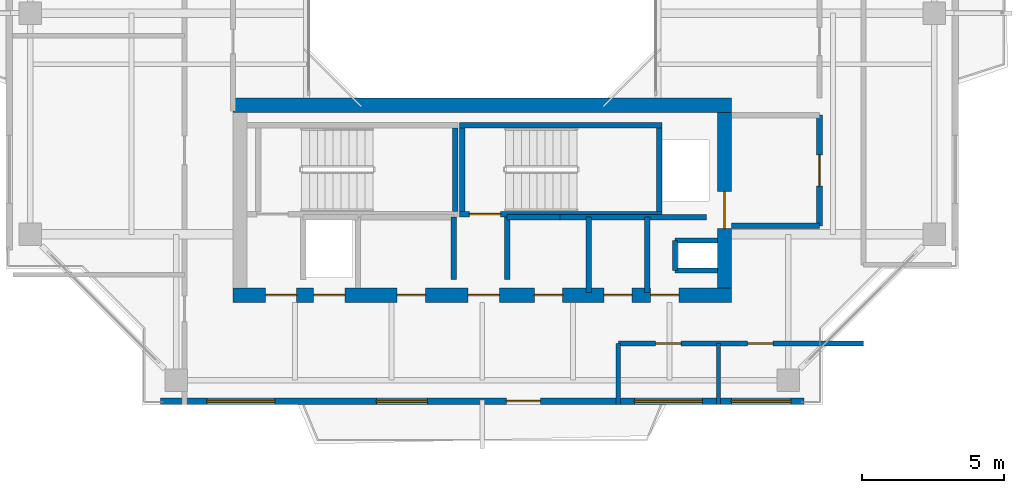
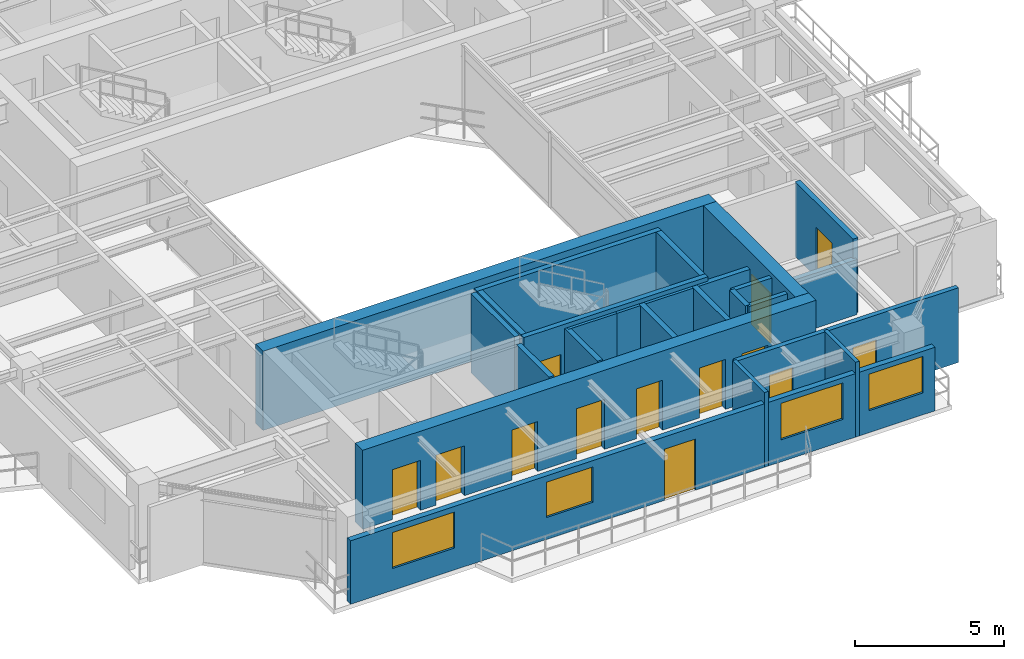
# One storey, part 10 of 15: 23 walls, 13 doors, 4 windows, 17 openings.
"""IFC4 building model written with IfcOpenShell, lengths in metres."""

from ifc_helpers import new_model, si_unit, direction, frame, frame_2d, origin, place, context, subcontext, project, spatial, rectangle, extrude, source, transform, mapped, material, layer, layer_set, type_object, element, fill, save


model = new_model("IFC4")

# Units and contexts
model_context = context("Model", 3, precision=1e-05, world=origin(), true_north=direction((0.0, 1.0)))
body_context = subcontext(model_context, "Body", "Model", "MODEL_VIEW")
ifc_project = project(units=[si_unit("LENGTHUNIT", "METRE"), si_unit("AREAUNIT", "SQUARE_METRE"), si_unit("VOLUMEUNIT", "CUBIC_METRE"), si_unit("PLANEANGLEUNIT", "RADIAN"), si_unit("MASSUNIT", "GRAM", prefix="KILO"), si_unit("THERMODYNAMICTEMPERATUREUNIT", "KELVIN"), si_unit("POWERUNIT", "WATT")], contexts=[model_context])

# Site, building, storey
site_placement = place(None, origin())
site = spatial("IfcSite", under=ifc_project, at=site_placement, CompositionType="ELEMENT")
building_placement = place(site_placement, origin())
building = spatial("IfcBuilding", under=site, at=building_placement, Name="Qiaomeng Ring Towers", CompositionType="ELEMENT")
storey_placement = place(building_placement, frame((0.0, 0.0, 219.75)))
storey = spatial("IfcBuildingStorey", under=building, at=storey_placement, Name="L64", CompositionType="ELEMENT", Elevation=219.75)

# Wall, openings, windows, door
ifc_material_1 = material(Name="Precast concrete C40", Category="concrete")
ifc_layer_1 = layer(ifc_material_1, 0.219970703125, Name="Precast concrete C40")
ifc_layer_set_1 = layer_set([ifc_layer_1], Name="Precast concrete C40")
wall_type_1 = type_object("IfcWallType", Name="ARC-WL-EW2", PredefinedType="STANDARD", material=ifc_layer_set_1)
wall_1_placement = place(storey_placement, frame((7.64990234375, 6.31005859375, 0.0), z_axis=(0.0, 0.0, 1.0), x_axis=(1.0, 0.0, 0.0)))
wall_1 = element("IfcWall", 1, at=wall_1_placement, inside=storey, type_object=wall_type_1, Name="L64 Tower 1 S Exterior Wall", PredefinedType="STANDARD", context=body_context, shape_type="SweptSolid", body=[
    extrude(rectangle(XDim=22.7001953125, YDim=0.219970703125, at=frame_2d((11.35009765625, 0.0))), origin(), (0.0, 0.0, 1.0), 2.610107421875),
])
opening_1_placement = place(wall_1_placement, frame((12.199951171875, 0.0, 0.0)))
opening_1 = element("IfcOpeningElement", 2, at=opening_1_placement, cuts=wall_1, Name="Opening BD1", PredefinedType="OPENING", context=body_context, shape_type="SweptSolid", body=[
    extrude(rectangle(XDim=1.199951171875, YDim=2.10009765625, at=frame_2d((0.60009765625, 1.050048828125))), frame((0.0, 0.119873046875, 0.0), z_axis=(0.0, -1.0, 0.0), x_axis=(1.0, 0.0, 0.0)), (0.0, 0.0, 1.0), 0.239990234375),
])
opening_2_placement = place(wall_1_placement, frame((1.636962890625, 0.0, 0.89990234375)))
opening_2 = element("IfcOpeningElement", 3, at=opening_2_placement, cuts=wall_1, Name="Opening WN6", PredefinedType="OPENING", context=body_context, shape_type="SweptSolid", body=[
    extrude(rectangle(XDim=2.39990234375, YDim=1.47998046875, at=frame_2d((1.199951171875, 0.739990234375))), frame((0.0, 0.119873046875, 0.0), z_axis=(0.0, -1.0, 0.0), x_axis=(1.0, 0.0, 0.0)), (0.0, 0.0, 1.0), 0.239990234375),
])
opening_3_placement = place(wall_1_placement, frame((7.612060546875, 0.0, 0.89990234375)))
opening_3 = element("IfcOpeningElement", 4, at=opening_3_placement, cuts=wall_1, Name="Opening WN1", PredefinedType="OPENING", context=body_context, shape_type="SweptSolid", body=[
    extrude(rectangle(XDim=1.800048828125, YDim=1.449951171875, at=frame_2d((0.89990234375, 0.72509765625))), frame((0.0, 0.119873046875, 0.0), z_axis=(0.0, -1.0, 0.0), x_axis=(1.0, 0.0, 0.0)), (0.0, 0.0, 1.0), 0.239990234375),
])
opening_4_placement = place(wall_1_placement, frame((20.137451171875, 0.0, 0.89990234375)))
opening_4 = element("IfcOpeningElement", 5, at=opening_4_placement, cuts=wall_1, Name="Opening WN4", PredefinedType="OPENING", context=body_context, shape_type="SweptSolid", body=[
    extrude(rectangle(XDim=2.10009765625, YDim=1.5, at=frame_2d((1.050048828125, 0.75))), frame((0.0, 0.119873046875, 0.0), z_axis=(0.0, -1.0, 0.0), x_axis=(1.0, 0.0, 0.0)), (0.0, 0.0, 1.0), 0.239990234375),
])
opening_5_placement = place(wall_1_placement, frame((16.719970703125, 0.0, 0.89990234375)))
opening_5 = element("IfcOpeningElement", 6, at=opening_5_placement, cuts=wall_1, Name="Opening WN6", PredefinedType="OPENING", context=body_context, shape_type="SweptSolid", body=[
    extrude(rectangle(XDim=2.39990234375, YDim=1.5, at=frame_2d((1.199951171875, 0.75))), frame((0.0, 0.119873046875, 0.0), z_axis=(0.0, -1.0, 0.0), x_axis=(1.0, 0.0, 0.0)), (0.0, 0.0, 1.0), 0.239990234375),
])
ifc_material_2 = material(Name="Low-E dark-grey laminated double glazing", Category="glass")
window_type_1 = type_object("IfcWindowType", Name="ARC-WN-4", PartitioningType="TRIPLE_PANEL_VERTICAL", PredefinedType="WINDOW", material=ifc_material_2)
shared_shape_1 = source(origin(), body_context, "Body", "SweptSolid", [
    extrude(rectangle(XDim=2.10009765625, YDim=1.5, at=frame_2d((1.050048828125, 0.75))), frame((0.0, 0.030029296875, 0.0), z_axis=(0.0, -1.0, 0.0), x_axis=(1.0, 0.0, 0.0)), (0.0, 0.0, 1.0), 0.06005859375),
])
window_1_placement = place(opening_4_placement, origin())
window_1 = element("IfcWindow", 7, at=window_1_placement, inside=storey, type_object=window_type_1, Name="L64 Exterior Window WN4", OverallHeight=1.5, OverallWidth=2.10009765625, PartitioningType="TRIPLE_PANEL_VERTICAL", PredefinedType="WINDOW", context=body_context, shape_type="MappedRepresentation", body=[
    mapped(shared_shape_1, transform((0.0, 0.0, 0.0), x_axis=(1.0, 0.0, 0.0), y_axis=(0.0, 1.0, 0.0), z_axis=(0.0, 0.0, 1.0), scale=1.0)),
])
fill(opening_4, window_1)
window_type_2 = type_object("IfcWindowType", Name="ARC-WN-1", PartitioningType="DOUBLE_PANEL_VERTICAL", PredefinedType="WINDOW", material=ifc_material_2)
shared_shape_2 = source(origin(), body_context, "Body", "SweptSolid", [
    extrude(rectangle(XDim=1.800048828125, YDim=1.449951171875, at=frame_2d((0.89990234375, 0.72509765625))), frame((0.0, 0.030029296875, 0.0), z_axis=(0.0, -1.0, 0.0), x_axis=(1.0, 0.0, 0.0)), (0.0, 0.0, 1.0), 0.06005859375),
])
window_2_placement = place(opening_3_placement, origin())
window_2 = element("IfcWindow", 8, at=window_2_placement, inside=storey, type_object=window_type_2, Name="L64 Exterior Window WN1", OverallHeight=1.449951171875, OverallWidth=1.800048828125, PartitioningType="DOUBLE_PANEL_VERTICAL", PredefinedType="WINDOW", context=body_context, shape_type="MappedRepresentation", body=[
    mapped(shared_shape_2, transform((0.0, 0.0, 0.0), x_axis=(1.0, 0.0, 0.0), y_axis=(0.0, 1.0, 0.0), z_axis=(0.0, 0.0, 1.0), scale=1.0)),
])
fill(opening_3, window_2)
window_type_3 = type_object("IfcWindowType", Name="ARC-WN-6", PartitioningType="TRIPLE_PANEL_VERTICAL", PredefinedType="WINDOW", material=ifc_material_2)
shared_shape_3 = source(origin(), body_context, "Body", "SweptSolid", [
    extrude(rectangle(XDim=2.39990234375, YDim=1.47998046875, at=frame_2d((1.199951171875, 0.739990234375))), frame((0.0, 0.030029296875, 0.0), z_axis=(0.0, -1.0, 0.0), x_axis=(1.0, 0.0, 0.0)), (0.0, 0.0, 1.0), 0.06005859375),
])
window_3_placement = place(opening_2_placement, origin())
window_3 = element("IfcWindow", 9, at=window_3_placement, inside=storey, type_object=window_type_3, Name="L64 Exterior Window WN6", OverallHeight=1.47998046875, OverallWidth=2.39990234375, PartitioningType="TRIPLE_PANEL_VERTICAL", PredefinedType="WINDOW", context=body_context, shape_type="MappedRepresentation", body=[
    mapped(shared_shape_3, transform((0.0, 0.0, 0.0), x_axis=(1.0, 0.0, 0.0), y_axis=(0.0, 1.0, 0.0), z_axis=(0.0, 0.0, 1.0), scale=1.0)),
])
fill(opening_2, window_3)
door_type_1 = type_object("IfcDoorType", Name="ARC-DR-BD1", OperationType="NOTDEFINED", PredefinedType="DOOR", material=ifc_material_2)
shared_shape_4 = source(origin(), body_context, "Body", "SweptSolid", [
    extrude(rectangle(XDim=1.199951171875, YDim=2.10009765625, at=frame_2d((0.60009765625, 1.050048828125))), frame((0.0, 0.02490234375, 0.0), z_axis=(0.0, -1.0, 0.0), x_axis=(1.0, 0.0, 0.0)), (0.0, 0.0, 1.0), 0.050048828125),
])
door_1_placement = place(opening_1_placement, frame((1.199951171875, 0.0, 0.0), z_axis=(0.0, 0.0, 1.0), x_axis=(-1.0, 0.0, 0.0)))
door_1 = element("IfcDoor", 10, at=door_1_placement, inside=storey, type_object=door_type_1, Name="L64 S Balcony Glazed Door", OperationType="SINGLE_SWING_LEFT", OverallHeight=2.10009765625, OverallWidth=1.199951171875, PredefinedType="DOOR", context=body_context, shape_type="MappedRepresentation", body=[
    mapped(shared_shape_4, transform((0.0, 0.0, 0.0), x_axis=(1.0, 0.0, 0.0), y_axis=(0.0, 1.0, 0.0), z_axis=(0.0, 0.0, 1.0), scale=1.0)),
])
fill(opening_1, door_1)
shared_shape_5 = source(origin(), body_context, "Body", "SweptSolid", [
    extrude(rectangle(XDim=2.39990234375, YDim=1.5, at=frame_2d((1.199951171875, 0.75))), frame((0.0, 0.030029296875, 0.0), z_axis=(0.0, -1.0, 0.0), x_axis=(1.0, 0.0, 0.0)), (0.0, 0.0, 1.0), 0.06005859375),
])
window_4_placement = place(opening_5_placement, origin())
window_4 = element("IfcWindow", 11, at=window_4_placement, inside=storey, type_object=window_type_3, Name="L64 Exterior Window WN6", OverallHeight=1.5, OverallWidth=2.39990234375, PartitioningType="TRIPLE_PANEL_VERTICAL", PredefinedType="WINDOW", context=body_context, shape_type="MappedRepresentation", body=[
    mapped(shared_shape_5, transform((0.0, 0.0, 0.0), x_axis=(1.0, 0.0, 0.0), y_axis=(0.0, 1.0, 0.0), z_axis=(0.0, 0.0, 1.0), scale=1.0)),
])
fill(opening_5, window_4)

# Wall
ifc_material_3 = material(Name="Autoclaved aerated concrete block", Category="concrete")
ifc_layer_2 = layer(ifc_material_3, 0.199951171875, Name="Autoclaved aerated concrete block")
ifc_layer_set_2 = layer_set([ifc_layer_2], Name="Autoclaved aerated concrete block")
wall_type_2 = type_object("IfcWallType", Name="ARC-WL-PW1", PredefinedType="PARTITIONING", material=ifc_layer_set_2)
wall_2_placement = place(storey_placement, frame((27.800048828125, 12.5, 0.0), z_axis=(0.0, 0.0, 1.0), x_axis=(1.0, 0.0, 0.0)))
element("IfcWall", 12, at=wall_2_placement, inside=storey, type_object=wall_type_2, Name="L64 Interior Wall PW1", PredefinedType="PARTITIONING", context=body_context, shape_type="SweptSolid", body=[
    extrude(rectangle(XDim=3.099853515625, YDim=0.199951171875, at=frame_2d((1.5498046875, 0.0))), origin(), (0.0, 0.0, 1.0), 2.264892578125),
])

# Wall, opening, door
wall_3_placement = place(storey_placement, frame((30.89990234375, 12.5, 0.0), z_axis=(0.0, 0.0, 1.0), x_axis=(0.0, 1.0, 0.0)))
wall_3 = element("IfcWall", 13, at=wall_3_placement, inside=storey, type_object=wall_type_2, Name="L64 Interior Wall PW1", PredefinedType="PARTITIONING", context=body_context, shape_type="SweptSolid", body=[
    extrude(rectangle(XDim=3.89990234375, YDim=0.199951171875, at=frame_2d((1.949951171875, 0.0))), origin(), (0.0, 0.0, 1.0), 3.070068359375),
])
opening_6_placement = place(wall_3_placement, frame((1.39990234375, 0.0, 0.0)))
opening_6 = element("IfcOpeningElement", 14, at=opening_6_placement, cuts=wall_3, Name="Opening FD3", PredefinedType="OPENING", context=body_context, shape_type="SweptSolid", body=[
    extrude(rectangle(XDim=1.10009765625, YDim=2.050048828125, at=frame_2d((0.550048828125, 1.02490234375))), frame((0.0, 0.10986328125, 0.0), z_axis=(0.0, -1.0, 0.0), x_axis=(1.0, 0.0, 0.0)), (0.0, 0.0, 1.0), 0.219970703125),
])
ifc_material_4 = material(Name="Galvanised steel", Category="steel")
door_type_2 = type_object("IfcDoorType", Name="ARC-DR-FD3", OperationType="NOTDEFINED", PredefinedType="DOOR", material=ifc_material_4)
shared_shape_6 = source(origin(), body_context, "Body", "SweptSolid", [
    extrude(rectangle(XDim=1.10009765625, YDim=2.050048828125, at=frame_2d((0.550048828125, 1.02490234375))), frame((0.0, 0.02490234375, 0.0), z_axis=(0.0, -1.0, 0.0), x_axis=(1.0, 0.0, 0.0)), (0.0, 0.0, 1.0), 0.050048828125),
])
door_2_placement = place(opening_6_placement, origin())
door_2 = element("IfcDoor", 15, at=door_2_placement, inside=storey, type_object=door_type_2, Name="L64 South FF Lobby Door", OperationType="SINGLE_SWING_LEFT", OverallHeight=2.050048828125, OverallWidth=1.10009765625, PredefinedType="DOOR", context=body_context, shape_type="MappedRepresentation", body=[
    mapped(shared_shape_6, transform((0.0, 0.0, 0.0), x_axis=(1.0, 0.0, 0.0), y_axis=(0.0, 1.0, 0.0), z_axis=(0.0, 0.0, 1.0), scale=1.0)),
])
fill(opening_6, door_2)

# Walls
for number, where, z_axis, x_axis, name in (
    (16, (18.0, 10.60009765625, 0.0), (0.0, 0.0, 1.0), (0.0, 1.0, 0.0), "L64 Interior Wall PW1"),
    (17, (19.8798828125, 10.60009765625, 0.0), (0.0, 0.0, 1.0), (0.0, 1.0, 0.0), "L64 Interior Wall PW1"),
):
    element("IfcWall", number, at=place(storey_placement, frame(where, z_axis=z_axis, x_axis=x_axis)), inside=storey, type_object=wall_type_2, Name=name, PredefinedType="PARTITIONING", context=body_context, shape_type="SweptSolid", body=[
        extrude(rectangle(XDim=2.2099609375, YDim=0.199951171875, at=frame_2d((1.10498046875, 0.0))), origin(), (0.0, 0.0, 1.0), 3.070068359375),
    ])
wall_4_placement = place(storey_placement, frame((24.820068359375, 10.14990234375, 0.0), z_axis=(0.0, 0.0, 1.0), x_axis=(0.0, 1.0, 0.0)))
element("IfcWall", 18, at=wall_4_placement, inside=storey, type_object=wall_type_2, Name="L64 Interior Wall PW1", PredefinedType="PARTITIONING", context=body_context, shape_type="SweptSolid", body=[
    extrude(rectangle(XDim=2.650146484375, YDim=0.199951171875, at=frame_2d((1.3251953125, 0.0))), origin(), (0.0, 0.0, 1.0), 3.070068359375),
])
wall_5_placement = place(storey_placement, frame((19.8798828125, 12.800048828125, 0.0), z_axis=(0.0, 0.0, 1.0), x_axis=(1.0, 0.0, 0.0)))
element("IfcWall", 19, at=wall_5_placement, inside=storey, type_object=wall_type_2, Name="L64 Interior Wall PW1", PredefinedType="PARTITIONING", context=body_context, shape_type="SweptSolid", body=[
    extrude(rectangle(XDim=1.8701171875, YDim=0.199951171875, at=frame_2d((0.93505859375, 0.0))), origin(), (0.0, 0.0, 1.0), 3.070068359375),
])
wall_6_placement = place(storey_placement, frame((22.760009765625, 10.14990234375, 0.0), z_axis=(0.0, 0.0, 1.0), x_axis=(0.0, 1.0, 0.0)))
element("IfcWall", 20, at=wall_6_placement, inside=storey, type_object=wall_type_2, Name="L64 Interior Wall PW1", PredefinedType="PARTITIONING", context=body_context, shape_type="SweptSolid", body=[
    extrude(rectangle(XDim=2.650146484375, YDim=0.199951171875, at=frame_2d((1.3251953125, 0.0))), origin(), (0.0, 0.0, 1.0), 3.070068359375),
])
wall_7_placement = place(storey_placement, frame((21.75, 12.800048828125, 0.0), z_axis=(0.0, 0.0, 1.0), x_axis=(1.0, 0.0, 0.0)))
element("IfcWall", 21, at=wall_7_placement, inside=storey, type_object=wall_type_2, Name="L64 Interior Wall PW1", PredefinedType="PARTITIONING", context=body_context, shape_type="SweptSolid", body=[
    extrude(rectangle(XDim=5.169921875, YDim=0.199951171875, at=frame_2d((2.5849609375, 0.0))), origin(), (0.0, 0.0, 1.0), 3.070068359375),
])

# Wall, openings, doors
ifc_layer_3 = layer(ifc_material_3, 0.179931640625, Name="Autoclaved aerated concrete block")
ifc_layer_set_3 = layer_set([ifc_layer_3], Name="Autoclaved aerated concrete block")
wall_type_3 = type_object("IfcWallType", Name="ARC-WL-PW2", PredefinedType="PARTITIONING", material=ifc_layer_set_3)
wall_8_placement = place(storey_placement, frame((23.800048828125, 8.35009765625, 0.0), z_axis=(0.0, 0.0, 1.0), x_axis=(1.0, 0.0, 0.0)))
wall_8 = element("IfcWall", 22, at=wall_8_placement, inside=storey, type_object=wall_type_3, Name="L64 Interior Wall PW2", PredefinedType="PARTITIONING", context=body_context, shape_type="SweptSolid", body=[
    extrude(rectangle(XDim=8.64990234375, YDim=0.179931640625, at=frame_2d((4.324951171875, 0.0))), origin(), (0.0, 0.0, 1.0), 3.070068359375),
])
opening_7_placement = place(wall_8_placement, frame((1.320068359375, 0.0, 0.0)))
opening_7 = element("IfcOpeningElement", 23, at=opening_7_placement, cuts=wall_8, Name="Opening ID1", PredefinedType="OPENING", context=body_context, shape_type="SweptSolid", body=[
    extrude(rectangle(XDim=0.89990234375, YDim=2.050048828125, at=frame_2d((0.449951171875, 1.02490234375))), frame((0.0, 0.099853515625, 0.0), z_axis=(0.0, -1.0, 0.0), x_axis=(1.0, 0.0, 0.0)), (0.0, 0.0, 1.0), 0.199951171875),
])
opening_8_placement = place(wall_8_placement, frame((4.56201171875, 0.0, 0.0)))
opening_8 = element("IfcOpeningElement", 24, at=opening_8_placement, cuts=wall_8, Name="Opening ID1", PredefinedType="OPENING", context=body_context, shape_type="SweptSolid", body=[
    extrude(rectangle(XDim=0.89990234375, YDim=2.050048828125, at=frame_2d((0.449951171875, 1.02490234375))), frame((0.0, 0.099853515625, 0.0), z_axis=(0.0, -1.0, 0.0), x_axis=(1.0, 0.0, 0.0)), (0.0, 0.0, 1.0), 0.199951171875),
])
ifc_material_5 = material(Name="Engineered oak timber", Category="wood")
door_type_3 = type_object("IfcDoorType", Name="ARC-DR-ID1", OperationType="NOTDEFINED", PredefinedType="DOOR", material=ifc_material_5)
shared_shape_7 = source(origin(), body_context, "Body", "SweptSolid", [
    extrude(rectangle(XDim=0.89990234375, YDim=2.050048828125, at=frame_2d((0.449951171875, 1.02490234375))), frame((0.0, 0.02490234375, 0.0), z_axis=(0.0, -1.0, 0.0), x_axis=(1.0, 0.0, 0.0)), (0.0, 0.0, 1.0), 0.050048828125),
])
door_3_placement = place(opening_7_placement, origin())
door_3 = element("IfcDoor", 25, at=door_3_placement, inside=storey, type_object=door_type_3, Name="L64 Door ID1", OperationType="SINGLE_SWING_RIGHT", OverallHeight=2.050048828125, OverallWidth=0.89990234375, PredefinedType="DOOR", context=body_context, shape_type="MappedRepresentation", body=[
    mapped(shared_shape_7, transform((0.0, 0.0, 0.0), x_axis=(1.0, 0.0, 0.0), y_axis=(0.0, 1.0, 0.0), z_axis=(0.0, 0.0, 1.0), scale=1.0)),
])
fill(opening_7, door_3)
door_4_placement = place(opening_8_placement, origin())
door_4 = element("IfcDoor", 26, at=door_4_placement, inside=storey, type_object=door_type_3, Name="L64 Door ID1", OperationType="SINGLE_SWING_LEFT", OverallHeight=2.050048828125, OverallWidth=0.89990234375, PredefinedType="DOOR", context=body_context, shape_type="MappedRepresentation", body=[
    mapped(shared_shape_7, transform((0.0, 0.0, 0.0), x_axis=(1.0, 0.0, 0.0), y_axis=(0.0, 1.0, 0.0), z_axis=(0.0, 0.0, 1.0), scale=1.0)),
])
fill(opening_8, door_4)

# Walls
ifc_material_6 = material(Name="Gypsum fireboard steel-stud partition", Category="steel")
ifc_layer_4 = layer(ifc_material_6, 0.14990234375, Name="Gypsum fireboard steel-stud partition")
ifc_layer_set_4 = layer_set([ifc_layer_4], Name="Gypsum fireboard steel-stud partition")
wall_type_4 = type_object("IfcWallType", Name="ARC-WL-PW3", PredefinedType="PARTITIONING", material=ifc_layer_set_4)
for number, where, z_axis, x_axis, name in (
    (27, (23.800048828125, 6.199951171875, 0.0), (0.0, 0.0, 1.0), (0.0, 1.0, 0.0), "L64 Interior Wall PW3"),
    (28, (27.340087890625, 6.199951171875, 0.0), (0.0, 0.0, 1.0), (0.0, 1.0, 0.0), "L64 Interior Wall PW3"),
):
    element("IfcWall", number, at=place(storey_placement, frame(where, z_axis=z_axis, x_axis=x_axis)), inside=storey, type_object=wall_type_4, Name=name, PredefinedType="PARTITIONING", context=body_context, shape_type="SweptSolid", body=[
        extrude(rectangle(XDim=2.150146484375, YDim=0.14990234375, at=frame_2d((1.0751953125, 0.0))), origin(), (0.0, 0.0, 1.0), 3.070068359375),
    ])
ifc_material_7 = material(Name="Concrete C40", Category="concrete")
ifc_layer_5 = layer(ifc_material_7, 0.199951171875, Name="Concrete C40")
ifc_layer_set_5 = layer_set([ifc_layer_5], Name="Concrete C40")
wall_type_5 = type_object("IfcWallType", Name="STR-WL-STSHAFT", PredefinedType="SHEAR", material=ifc_layer_set_5)
wall_9_placement = place(storey_placement, frame((25.800048828125, 10.919921875, 0.0), z_axis=(0.0, 0.0, 1.0), x_axis=(0.0, 1.0, 0.0)))
element("IfcWall", 29, at=wall_9_placement, inside=storey, type_object=wall_type_5, Name="L64 Riser RSR1 West Shaft Wall S", PredefinedType="SHEAR", context=body_context, shape_type="SweptSolid", body=[
    extrude(rectangle(XDim=1.06005859375, YDim=0.179931640625, at=frame_2d((0.530029296875, 0.0))), origin(), (0.0, 0.0, 1.0), 3.070068359375),
])
for number, where, z_axis, x_axis, name in (
    (30, (25.800048828125, 11.97998046875, 0.0), (0.0, 0.0, 1.0), (1.0, 0.0, 0.0), "L64 Riser RSR1 North Shaft Wall S"),
    (31, (25.800048828125, 10.919921875, 0.0), (0.0, 0.0, 1.0), (1.0, 0.0, 0.0), "L64 Riser RSR1 South Shaft Wall S"),
):
    element("IfcWall", number, at=place(storey_placement, frame(where, z_axis=z_axis, x_axis=x_axis)), inside=storey, type_object=wall_type_5, Name=name, PredefinedType="SHEAR", context=body_context, shape_type="SweptSolid", body=[
        extrude(rectangle(XDim=1.5, YDim=0.179931640625, at=frame_2d((0.75, 0.0))), origin(), (0.0, 0.0, 1.0), 3.070068359375),
    ])
wall_10_placement = place(storey_placement, frame((18.050048828125, 13.010009765625, 0.0), z_axis=(0.0, 0.0, 1.0), x_axis=(0.0, 1.0, 0.0)))
element("IfcWall", 32, at=wall_10_placement, inside=storey, type_object=wall_type_5, Name="L64 Stair ST3 East Shaft Shear Wall", PredefinedType="SHEAR", context=body_context, shape_type="SweptSolid", body=[
    extrude(rectangle(XDim=2.93994140625, YDim=0.199951171875, at=frame_2d((1.469970703125, 0.0))), origin(), (0.0, 0.0, 1.0), 3.25),
])

# Wall, opening, door
wall_11_placement = place(storey_placement, frame((18.199951171875, 12.909912109375, 0.0), z_axis=(0.0, 0.0, 1.0), x_axis=(1.0, 0.0, 0.0)))
wall_11 = element("IfcWall", 33, at=wall_11_placement, inside=storey, type_object=wall_type_5, Name="L64 Stair ST4 South Shaft Shear Wall", PredefinedType="SHEAR", context=body_context, shape_type="SweptSolid", body=[
    extrude(rectangle(XDim=7.150146484375, YDim=0.199951171875, at=frame_2d((3.5751953125, 0.0))), origin(), (0.0, 0.0, 1.0), 3.25),
])
opening_9_placement = place(wall_11_placement, frame((0.35009765625, 0.0, 0.0)))
opening_9 = element("IfcOpeningElement", 34, at=opening_9_placement, cuts=wall_11, Name="Opening FD3", PredefinedType="OPENING", context=body_context, shape_type="SweptSolid", body=[
    extrude(rectangle(XDim=1.10009765625, YDim=2.050048828125, at=frame_2d((0.550048828125, 1.02490234375))), frame((0.0, 0.10986328125, 0.0), z_axis=(0.0, -1.0, 0.0), x_axis=(1.0, 0.0, 0.0)), (0.0, 0.0, 1.0), 0.219970703125),
])
door_5_placement = place(opening_9_placement, frame((1.10009765625, 0.0, 0.0), z_axis=(0.0, 0.0, 1.0), x_axis=(-1.0, 0.0, 0.0)))
door_5 = element("IfcDoor", 35, at=door_5_placement, inside=storey, type_object=door_type_2, Name="L64 Stair ST4 Exit Door", OperationType="SINGLE_SWING_LEFT", OverallHeight=2.050048828125, OverallWidth=1.10009765625, PredefinedType="DOOR", context=body_context, shape_type="MappedRepresentation", body=[
    mapped(shared_shape_6, transform((0.0, 0.0, 0.0), x_axis=(1.0, 0.0, 0.0), y_axis=(0.0, 1.0, 0.0), z_axis=(0.0, 0.0, 1.0), scale=1.0)),
])
fill(opening_9, door_5)

# Walls
wall_12_placement = place(storey_placement, frame((18.199951171875, 16.050048828125, 0.0), z_axis=(0.0, 0.0, 1.0), x_axis=(1.0, 0.0, 0.0)))
element("IfcWall", 36, at=wall_12_placement, inside=storey, type_object=wall_type_5, Name="L64 Stair ST4 North Shaft Shear Wall", PredefinedType="SHEAR", context=body_context, shape_type="SweptSolid", body=[
    extrude(rectangle(XDim=7.150146484375, YDim=0.199951171875, at=frame_2d((3.5751953125, 0.0))), origin(), (0.0, 0.0, 1.0), 3.25),
])
for number, where, z_axis, x_axis, name in (
    (37, (18.300048828125, 13.010009765625, 0.0), (0.0, 0.0, 1.0), (0.0, 1.0, 0.0), "L64 Stair ST4 West Shaft Shear Wall"),
    (38, (25.25, 13.010009765625, 0.0), (0.0, 0.0, 1.0), (0.0, 1.0, 0.0), "L64 Stair ST4 East Shaft Shear Wall"),
):
    element("IfcWall", number, at=place(storey_placement, frame(where, z_axis=z_axis, x_axis=x_axis)), inside=storey, type_object=wall_type_5, Name=name, PredefinedType="SHEAR", context=body_context, shape_type="SweptSolid", body=[
        extrude(rectangle(XDim=2.93994140625, YDim=0.199951171875, at=frame_2d((1.469970703125, 0.0))), origin(), (0.0, 0.0, 1.0), 3.25),
    ])

# Wall, openings, doors
ifc_layer_6 = layer(ifc_material_7, 0.5, Name="Concrete C40")
ifc_layer_set_6 = layer_set([ifc_layer_6], Name="Concrete C40")
wall_type_6 = type_object("IfcWallType", Name="STR-WL-SW3", PredefinedType="SHEAR", material=ifc_layer_set_6)
wall_13_placement = place(storey_placement, frame((10.199951171875, 10.050048828125, 0.0), z_axis=(0.0, 0.0, 1.0), x_axis=(1.0, 0.0, 0.0)))
wall_13 = element("IfcWall", 39, at=wall_13_placement, inside=storey, type_object=wall_type_6, Name="L64 T1SC south core shear wall", PredefinedType="SHEAR", context=body_context, shape_type="SweptSolid", body=[
    extrude(rectangle(XDim=17.60009765625, YDim=0.5, at=frame_2d((8.800048828125, 0.0))), origin(), (0.0, 0.0, 1.0), 3.25),
])
opening_10_placement = place(wall_13_placement, frame((1.14990234375, 0.0, 0.0)))
opening_10 = element("IfcOpeningElement", 40, at=opening_10_placement, cuts=wall_13, Name="Opening FD3", PredefinedType="OPENING", context=body_context, shape_type="SweptSolid", body=[
    extrude(rectangle(XDim=1.10009765625, YDim=2.050048828125, at=frame_2d((0.550048828125, 1.02490234375))), frame((0.0, 0.260009765625, 0.0), z_axis=(0.0, -1.0, 0.0), x_axis=(1.0, 0.0, 0.0)), (0.0, 0.0, 1.0), 0.52001953125),
])
opening_11_placement = place(wall_13_placement, frame((8.300048828125, 0.0, 0.0)))
opening_11 = element("IfcOpeningElement", 41, at=opening_11_placement, cuts=wall_13, Name="Opening FD3", PredefinedType="OPENING", context=body_context, shape_type="SweptSolid", body=[
    extrude(rectangle(XDim=1.10009765625, YDim=2.050048828125, at=frame_2d((0.550048828125, 1.02490234375))), frame((0.0, 0.260009765625, 0.0), z_axis=(0.0, -1.0, 0.0), x_axis=(1.0, 0.0, 0.0)), (0.0, 0.0, 1.0), 0.52001953125),
])
opening_12_placement = place(wall_13_placement, frame((2.85009765625, 0.0, 0.0)))
opening_12 = element("IfcOpeningElement", 42, at=opening_12_placement, cuts=wall_13, Name="Opening LD1", PredefinedType="OPENING", context=body_context, shape_type="SweptSolid", body=[
    extrude(rectangle(XDim=1.10009765625, YDim=2.050048828125, at=frame_2d((0.550048828125, 1.02490234375))), frame((0.0, 0.260009765625, 0.0), z_axis=(0.0, -1.0, 0.0), x_axis=(1.0, 0.0, 0.0)), (0.0, 0.0, 1.0), 0.52001953125),
])
opening_13_placement = place(wall_13_placement, frame((5.800048828125, 0.0, 0.0)))
opening_13 = element("IfcOpeningElement", 43, at=opening_13_placement, cuts=wall_13, Name="Opening FD1", PredefinedType="OPENING", context=body_context, shape_type="SweptSolid", body=[
    extrude(rectangle(XDim=1.0, YDim=2.050048828125, at=frame_2d((0.5, 1.02490234375))), frame((0.0, 0.260009765625, 0.0), z_axis=(0.0, -1.0, 0.0), x_axis=(1.0, 0.0, 0.0)), (0.0, 0.0, 1.0), 0.52001953125),
])
opening_14_placement = place(wall_13_placement, frame((14.739990234375, 0.0, 0.0)))
opening_14 = element("IfcOpeningElement", 44, at=opening_14_placement, cuts=wall_13, Name="Opening FD1", PredefinedType="OPENING", context=body_context, shape_type="SweptSolid", body=[
    extrude(rectangle(XDim=1.0, YDim=2.050048828125, at=frame_2d((0.5, 1.02490234375))), frame((0.0, 0.260009765625, 0.0), z_axis=(0.0, -1.0, 0.0), x_axis=(1.0, 0.0, 0.0)), (0.0, 0.0, 1.0), 0.52001953125),
])
opening_15_placement = place(wall_13_placement, frame((10.639892578125, 0.0, 0.0)))
opening_15 = element("IfcOpeningElement", 45, at=opening_15_placement, cuts=wall_13, Name="Opening FD1", PredefinedType="OPENING", context=body_context, shape_type="SweptSolid", body=[
    extrude(rectangle(XDim=1.0, YDim=2.050048828125, at=frame_2d((0.5, 1.02490234375))), frame((0.0, 0.260009765625, 0.0), z_axis=(0.0, -1.0, 0.0), x_axis=(1.0, 0.0, 0.0)), (0.0, 0.0, 1.0), 0.52001953125),
])
opening_16_placement = place(wall_13_placement, frame((13.090087890625, 0.0, 0.0)))
opening_16 = element("IfcOpeningElement", 46, at=opening_16_placement, cuts=wall_13, Name="Opening FD1", PredefinedType="OPENING", context=body_context, shape_type="SweptSolid", body=[
    extrude(rectangle(XDim=1.0, YDim=2.050048828125, at=frame_2d((0.5, 1.02490234375))), frame((0.0, 0.260009765625, 0.0), z_axis=(0.0, -1.0, 0.0), x_axis=(1.0, 0.0, 0.0)), (0.0, 0.0, 1.0), 0.52001953125),
])
door_6_placement = place(opening_10_placement, origin())
door_6 = element("IfcDoor", 47, at=door_6_placement, inside=storey, type_object=door_type_2, Name="L64 Stair ST3 Lobby Door", OperationType="SINGLE_SWING_RIGHT", OverallHeight=2.050048828125, OverallWidth=1.10009765625, PredefinedType="DOOR", context=body_context, shape_type="MappedRepresentation", body=[
    mapped(shared_shape_6, transform((0.0, 0.0, 0.0), x_axis=(1.0, 0.0, 0.0), y_axis=(0.0, 1.0, 0.0), z_axis=(0.0, 0.0, 1.0), scale=1.0)),
])
fill(opening_10, door_6)
door_7_placement = place(opening_11_placement, origin())
door_7 = element("IfcDoor", 48, at=door_7_placement, inside=storey, type_object=door_type_2, Name="L64 Stair ST4 Lobby Door", OperationType="SINGLE_SWING_RIGHT", OverallHeight=2.050048828125, OverallWidth=1.10009765625, PredefinedType="DOOR", context=body_context, shape_type="MappedRepresentation", body=[
    mapped(shared_shape_6, transform((0.0, 0.0, 0.0), x_axis=(1.0, 0.0, 0.0), y_axis=(0.0, 1.0, 0.0), z_axis=(0.0, 0.0, 1.0), scale=1.0)),
])
fill(opening_11, door_7)
ifc_material_8 = material(Name="Stainless steel 316", Category="steel")
door_type_4 = type_object("IfcDoorType", Name="ARC-DR-LD1", OperationType="NOTDEFINED", PredefinedType="DOOR", material=ifc_material_8)
door_8_placement = place(opening_12_placement, origin())
door_8 = element("IfcDoor", 49, at=door_8_placement, inside=storey, type_object=door_type_4, Name="L64 High-Zone Lift LP6 Landing Door", OperationType="SLIDING_TO_RIGHT", OverallHeight=2.050048828125, OverallWidth=1.10009765625, PredefinedType="DOOR", context=body_context, shape_type="MappedRepresentation", body=[
    mapped(shared_shape_6, transform((0.0, 0.0, 0.0), x_axis=(1.0, 0.0, 0.0), y_axis=(0.0, 1.0, 0.0), z_axis=(0.0, 0.0, 1.0), scale=1.0)),
])
fill(opening_12, door_8)
door_type_5 = type_object("IfcDoorType", Name="ARC-DR-FD1", OperationType="NOTDEFINED", PredefinedType="DOOR", material=ifc_material_4)
shared_shape_8 = source(origin(), body_context, "Body", "SweptSolid", [
    extrude(rectangle(XDim=1.0, YDim=2.050048828125, at=frame_2d((0.5, 1.02490234375))), frame((0.0, 0.02490234375, 0.0), z_axis=(0.0, -1.0, 0.0), x_axis=(1.0, 0.0, 0.0)), (0.0, 0.0, 1.0), 0.050048828125),
])
door_9_placement = place(opening_13_placement, origin())
door_9 = element("IfcDoor", 50, at=door_9_placement, inside=storey, type_object=door_type_5, Name="L64 High-Zone Freed Core Room Door", OperationType="SINGLE_SWING_RIGHT", OverallHeight=2.050048828125, OverallWidth=1.0, PredefinedType="DOOR", context=body_context, shape_type="MappedRepresentation", body=[
    mapped(shared_shape_8, transform((0.0, 0.0, 0.0), x_axis=(1.0, 0.0, 0.0), y_axis=(0.0, 1.0, 0.0), z_axis=(0.0, 0.0, 1.0), scale=1.0)),
])
fill(opening_13, door_9)
door_10_placement = place(opening_14_placement, origin())
door_10 = element("IfcDoor", 51, at=door_10_placement, inside=storey, type_object=door_type_5, Name="L64 South Electrical Riser Door", OperationType="SINGLE_SWING_RIGHT", OverallHeight=2.050048828125, OverallWidth=1.0, PredefinedType="DOOR", context=body_context, shape_type="MappedRepresentation", body=[
    mapped(shared_shape_8, transform((0.0, 0.0, 0.0), x_axis=(1.0, 0.0, 0.0), y_axis=(0.0, 1.0, 0.0), z_axis=(0.0, 0.0, 1.0), scale=1.0)),
])
fill(opening_14, door_10)
door_11_placement = place(opening_15_placement, origin())
door_11 = element("IfcDoor", 52, at=door_11_placement, inside=storey, type_object=door_type_5, Name="L64 South Telemetry Study Door", OperationType="SINGLE_SWING_LEFT", OverallHeight=2.050048828125, OverallWidth=1.0, PredefinedType="DOOR", context=body_context, shape_type="MappedRepresentation", body=[
    mapped(shared_shape_8, transform((0.0, 0.0, 0.0), x_axis=(1.0, 0.0, 0.0), y_axis=(0.0, 1.0, 0.0), z_axis=(0.0, 0.0, 1.0), scale=1.0)),
])
fill(opening_15, door_11)
door_12_placement = place(opening_16_placement, origin())
door_12 = element("IfcDoor", 53, at=door_12_placement, inside=storey, type_object=door_type_5, Name="L64 South Staff Pantry Door", OperationType="SINGLE_SWING_RIGHT", OverallHeight=2.050048828125, OverallWidth=1.0, PredefinedType="DOOR", context=body_context, shape_type="MappedRepresentation", body=[
    mapped(shared_shape_8, transform((0.0, 0.0, 0.0), x_axis=(1.0, 0.0, 0.0), y_axis=(0.0, 1.0, 0.0), z_axis=(0.0, 0.0, 1.0), scale=1.0)),
])
fill(opening_16, door_12)

# Wall
wall_14_placement = place(storey_placement, frame((10.199951171875, 16.75, 0.0), z_axis=(0.0, 0.0, 1.0), x_axis=(1.0, 0.0, 0.0)))
element("IfcWall", 54, at=wall_14_placement, inside=storey, type_object=wall_type_6, Name="L64 T1SC north core shear wall", PredefinedType="SHEAR", context=body_context, shape_type="SweptSolid", body=[
    extrude(rectangle(XDim=17.60009765625, YDim=0.5, at=frame_2d((8.800048828125, 0.0))), origin(), (0.0, 0.0, 1.0), 3.25),
])

# Wall, opening, door
wall_15_placement = place(storey_placement, frame((27.550048828125, 10.300048828125, 0.0), z_axis=(0.0, 0.0, 1.0), x_axis=(0.0, 1.0, 0.0)))
wall_15 = element("IfcWall", 55, at=wall_15_placement, inside=storey, type_object=wall_type_6, Name="L64 T1SC east core shear wall", PredefinedType="SHEAR", context=body_context, shape_type="SweptSolid", body=[
    extrude(rectangle(XDim=6.199951171875, YDim=0.5, at=frame_2d((3.10009765625, 0.0))), origin(), (0.0, 0.0, 1.0), 3.25),
])
opening_17_placement = place(wall_15_placement, frame((2.10009765625, 0.0, 0.0)))
opening_17 = element("IfcOpeningElement", 56, at=opening_17_placement, cuts=wall_15, Name="Opening LD2", PredefinedType="OPENING", context=body_context, shape_type="SweptSolid", body=[
    extrude(rectangle(XDim=1.300048828125, YDim=2.050048828125, at=frame_2d((0.64990234375, 1.02490234375))), frame((0.0, 0.260009765625, 0.0), z_axis=(0.0, -1.0, 0.0), x_axis=(1.0, 0.0, 0.0)), (0.0, 0.0, 1.0), 0.52001953125),
])
door_type_6 = type_object("IfcDoorType", Name="ARC-DR-LD2", OperationType="NOTDEFINED", PredefinedType="DOOR", material=ifc_material_8)
shared_shape_9 = source(origin(), body_context, "Body", "SweptSolid", [
    extrude(rectangle(XDim=1.300048828125, YDim=2.050048828125, at=frame_2d((0.64990234375, 1.02490234375))), frame((0.0, 0.02490234375, 0.0), z_axis=(0.0, -1.0, 0.0), x_axis=(1.0, 0.0, 0.0)), (0.0, 0.0, 1.0), 0.050048828125),
])
door_13_placement = place(opening_17_placement, origin())
door_13 = element("IfcDoor", 57, at=door_13_placement, inside=storey, type_object=door_type_6, Name="L64 Firefighting Lift FL2 Landing Door", OperationType="SLIDING_TO_RIGHT", OverallHeight=2.050048828125, OverallWidth=1.300048828125, PredefinedType="DOOR", context=body_context, shape_type="MappedRepresentation", body=[
    mapped(shared_shape_9, transform((0.0, 0.0, 0.0), x_axis=(1.0, 0.0, 0.0), y_axis=(0.0, 1.0, 0.0), z_axis=(0.0, 0.0, 1.0), scale=1.0)),
])
fill(opening_17, door_13)

save(model, "model.ifc")
